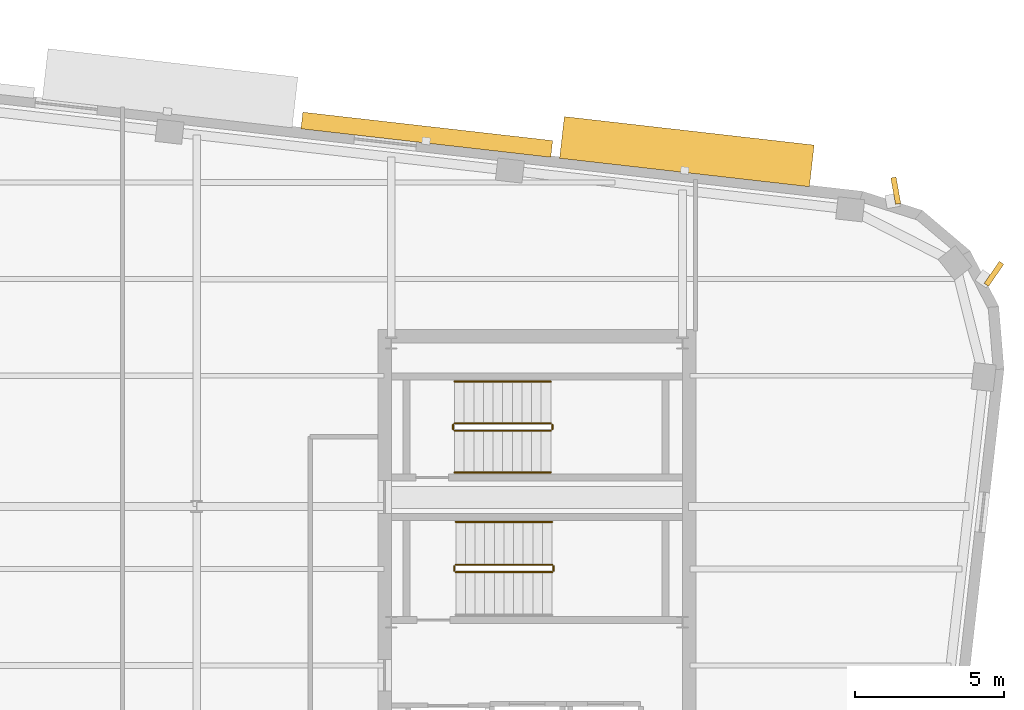
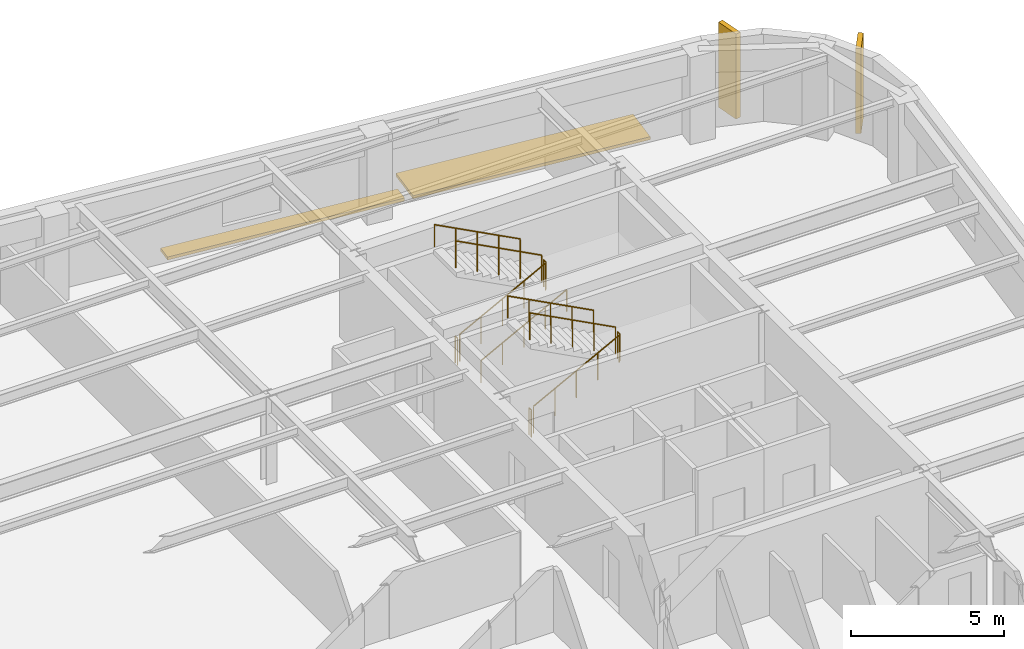
# One storey, part 13 of 14: 11 railings, 4 shading devices.
"""IFC4 building model written with IfcOpenShell, lengths in metres."""

from ifc_helpers import new_model, si_unit, direction, frame, origin, origin_2d, place, context, subcontext, project, spatial, rectangle, circle, extrude, material, type_object, element, save


model = new_model("IFC4")

# Units and contexts
model_context = context("Model", 3, precision=1e-05, world=origin(), true_north=direction((0.0, 1.0)))
body_context = subcontext(model_context, "Body", "Model", "MODEL_VIEW")
ifc_project = project(units=[si_unit("LENGTHUNIT", "METRE"), si_unit("AREAUNIT", "SQUARE_METRE"), si_unit("VOLUMEUNIT", "CUBIC_METRE"), si_unit("PLANEANGLEUNIT", "RADIAN"), si_unit("MASSUNIT", "GRAM", prefix="KILO")], contexts=[model_context])

# Site, building, storey
site_placement = place(None, origin())
site = spatial("IfcSite", under=ifc_project, at=site_placement, CompositionType="ELEMENT")
building_placement = place(site_placement, origin())
building = spatial("IfcBuilding", under=site, at=building_placement, Name="Kolvaren Arena Tower", CompositionType="ELEMENT")
storey_placement = place(building_placement, frame((0.0, 0.0, 258.449951171875)))
storey = spatial("IfcBuildingStorey", under=building, at=storey_placement, Name="L63", CompositionType="ELEMENT", Elevation=258.449951171875)

# Railings
ifc_material_1 = material(Name="Painted galvanized steel", Category="steel")
railing_type_1 = type_object("IfcRailingType", Name="GUARD-ST-110", PredefinedType="GUARDRAIL", material=ifc_material_1)
railing_1_placement = place(storey_placement, frame((52.719970703125, 31.639892578125, 0.17041015625)))
element("IfcRailing", 1, at=railing_1_placement, inside=storey, type_object=railing_type_1, Name="L63 ST-E1 stair guard 1", PredefinedType="GUARDRAIL", context=body_context, shape_type="SweptSolid", body=[
    extrude(circle(Radius=0.02392578125, at=origin_2d()), frame((0.0, 0.0, 1.076171875), z_axis=(0.884993431791, 0.0, 0.465603506952), x_axis=(0.0, 1.0, 0.0)), (0.0, 0.0, 1.0), 3.6611328125),
    extrude(circle(Radius=0.02099609375, at=origin_2d()), origin(), (0.0, 0.0, 1.0), 1.052001953125),
    extrude(circle(Radius=0.02099609375, at=origin_2d()), frame((0.81005859375, 0.0, 0.42626953125)), (0.0, 0.0, 1.0), 1.052001953125),
    extrude(circle(Radius=0.02099609375, at=origin_2d()), frame((1.6201171875, 0.0, 0.852294921875)), (0.0, 0.0, 1.0), 1.052001953125),
    extrude(circle(Radius=0.02099609375, at=origin_2d()), frame((2.429931640625, 0.0, 1.2783203125)), (0.0, 0.0, 1.0), 1.052001953125),
    extrude(circle(Radius=0.02099609375, at=origin_2d()), frame((3.239990234375, 0.0, 1.70458984375)), (0.0, 0.0, 1.0), 1.052001953125),
])
railing_2_placement = place(storey_placement, frame((56.010009765625, 31.68994140625, 1.875)))
element("IfcRailing", 2, at=railing_2_placement, inside=storey, type_object=railing_type_1, Name="L63 ST-E1 stair guard 2", PredefinedType="GUARDRAIL", context=body_context, shape_type="SweptSolid", body=[
    extrude(circle(Radius=0.02392578125, at=origin_2d()), frame((0.0, 0.0, 1.076171875), z_axis=(0.0, 1.0, 0.0), x_axis=(-1.0, 0.0, 0.0)), (0.0, 0.0, 1.0), 0.150146484375),
    extrude(circle(Radius=0.02099609375, at=origin_2d()), origin(), (0.0, 0.0, 1.0), 1.052001953125),
    extrude(circle(Radius=0.02099609375, at=origin_2d()), frame((0.0, 0.150146484375, 0.0)), (0.0, 0.0, 1.0), 1.052001953125),
])
railing_3_placement = place(storey_placement, frame((55.9599609375, 31.889892578125, 2.04541015625)))
element("IfcRailing", 3, at=railing_3_placement, inside=storey, type_object=railing_type_1, Name="L63 ST-E1 stair guard 3", PredefinedType="GUARDRAIL", context=body_context, shape_type="SweptSolid", body=[
    extrude(circle(Radius=0.02392578125, at=origin_2d()), frame((0.0, 0.0, 1.076171875), z_axis=(-0.884993431791, 0.0, 0.465603506952), x_axis=(0.0, -1.0, 0.0)), (0.0, 0.0, 1.0), 3.6611328125),
    extrude(circle(Radius=0.02099609375, at=origin_2d()), origin(), (0.0, 0.0, 1.0), 1.052001953125),
    extrude(circle(Radius=0.02099609375, at=origin_2d()), frame((-0.81005859375, 0.0, 0.42626953125)), (0.0, 0.0, 1.0), 1.052001953125),
    extrude(circle(Radius=0.02099609375, at=origin_2d()), frame((-1.6201171875, 0.0, 0.852294921875)), (0.0, 0.0, 1.0), 1.052001953125),
    extrude(circle(Radius=0.02099609375, at=origin_2d()), frame((-2.429931640625, 0.0, 1.2783203125)), (0.0, 0.0, 1.0), 1.052001953125),
    extrude(circle(Radius=0.02099609375, at=origin_2d()), frame((-3.239990234375, 0.0, 1.70458984375)), (0.0, 0.0, 1.0), 1.052001953125),
])
railing_4_placement = place(storey_placement, frame((52.669921875, 31.68994140625, 0.0)))
element("IfcRailing", 4, at=railing_4_placement, inside=storey, type_object=railing_type_1, Name="L63 ST-E1 stair guard 4", PredefinedType="GUARDRAIL", context=body_context, shape_type="SweptSolid", body=[
    extrude(circle(Radius=0.02392578125, at=origin_2d()), frame((0.0, 0.0, 1.076171875), z_axis=(0.0, 1.0, 0.0), x_axis=(-1.0, 0.0, 0.0)), (0.0, 0.0, 1.0), 0.150146484375),
    extrude(circle(Radius=0.02099609375, at=origin_2d()), origin(), (0.0, 0.0, 1.0), 1.052001953125),
    extrude(circle(Radius=0.02099609375, at=origin_2d()), frame((0.0, 0.150146484375, 0.0)), (0.0, 0.0, 1.0), 1.052001953125),
])
railing_5_placement = place(storey_placement, frame((52.679931640625, 36.39990234375, 0.17041015625)))
element("IfcRailing", 5, at=railing_5_placement, inside=storey, type_object=railing_type_1, Name="L63 ST-E2 stair guard 1", PredefinedType="GUARDRAIL", context=body_context, shape_type="SweptSolid", body=[
    extrude(circle(Radius=0.02392578125, at=origin_2d()), frame((0.0, 0.0, 1.076171875), z_axis=(0.884993431791, 0.0, 0.465603506952), x_axis=(0.0, 1.0, 0.0)), (0.0, 0.0, 1.0), 3.6611328125),
    extrude(circle(Radius=0.02099609375, at=origin_2d()), origin(), (0.0, 0.0, 1.0), 1.052001953125),
    extrude(circle(Radius=0.02099609375, at=origin_2d()), frame((0.81005859375, 0.0, 0.42626953125)), (0.0, 0.0, 1.0), 1.052001953125),
    extrude(circle(Radius=0.02099609375, at=origin_2d()), frame((1.6201171875, 0.0, 0.852294921875)), (0.0, 0.0, 1.0), 1.052001953125),
    extrude(circle(Radius=0.02099609375, at=origin_2d()), frame((2.429931640625, 0.0, 1.2783203125)), (0.0, 0.0, 1.0), 1.052001953125),
    extrude(circle(Radius=0.02099609375, at=origin_2d()), frame((3.239990234375, 0.0, 1.70458984375)), (0.0, 0.0, 1.0), 1.052001953125),
])
railing_6_placement = place(storey_placement, frame((55.969970703125, 36.449951171875, 1.875)))
element("IfcRailing", 6, at=railing_6_placement, inside=storey, type_object=railing_type_1, Name="L63 ST-E2 stair guard 2", PredefinedType="GUARDRAIL", context=body_context, shape_type="SweptSolid", body=[
    extrude(circle(Radius=0.02392578125, at=origin_2d()), frame((0.0, 0.0, 1.076171875), z_axis=(0.0, 1.0, 0.0), x_axis=(-1.0, 0.0, 0.0)), (0.0, 0.0, 1.0), 0.150146484375),
    extrude(circle(Radius=0.02099609375, at=origin_2d()), origin(), (0.0, 0.0, 1.0), 1.052001953125),
    extrude(circle(Radius=0.02099609375, at=origin_2d()), frame((0.0, 0.150146484375, 0.0)), (0.0, 0.0, 1.0), 1.052001953125),
])
railing_7_placement = place(storey_placement, frame((55.919921875, 36.64990234375, 2.04541015625)))
element("IfcRailing", 7, at=railing_7_placement, inside=storey, type_object=railing_type_1, Name="L63 ST-E2 stair guard 3", PredefinedType="GUARDRAIL", context=body_context, shape_type="SweptSolid", body=[
    extrude(circle(Radius=0.02392578125, at=origin_2d()), frame((0.0, 0.0, 1.076171875), z_axis=(-0.884993431791, 0.0, 0.465603506952), x_axis=(0.0, -1.0, 0.0)), (0.0, 0.0, 1.0), 3.6611328125),
    extrude(circle(Radius=0.02099609375, at=origin_2d()), origin(), (0.0, 0.0, 1.0), 1.052001953125),
    extrude(circle(Radius=0.02099609375, at=origin_2d()), frame((-0.81005859375, 0.0, 0.42626953125)), (0.0, 0.0, 1.0), 1.052001953125),
    extrude(circle(Radius=0.02099609375, at=origin_2d()), frame((-1.6201171875, 0.0, 0.852294921875)), (0.0, 0.0, 1.0), 1.052001953125),
    extrude(circle(Radius=0.02099609375, at=origin_2d()), frame((-2.429931640625, 0.0, 1.2783203125)), (0.0, 0.0, 1.0), 1.052001953125),
    extrude(circle(Radius=0.02099609375, at=origin_2d()), frame((-3.239990234375, 0.0, 1.70458984375)), (0.0, 0.0, 1.0), 1.052001953125),
])
railing_8_placement = place(storey_placement, frame((52.6298828125, 36.449951171875, 0.0)))
element("IfcRailing", 8, at=railing_8_placement, inside=storey, type_object=railing_type_1, Name="L63 ST-E2 stair guard 4", PredefinedType="GUARDRAIL", context=body_context, shape_type="SweptSolid", body=[
    extrude(circle(Radius=0.02392578125, at=origin_2d()), frame((0.0, 0.0, 1.076171875), z_axis=(0.0, 1.0, 0.0), x_axis=(-1.0, 0.0, 0.0)), (0.0, 0.0, 1.0), 0.150146484375),
    extrude(circle(Radius=0.02099609375, at=origin_2d()), origin(), (0.0, 0.0, 1.0), 1.052001953125),
    extrude(circle(Radius=0.02099609375, at=origin_2d()), frame((0.0, 0.150146484375, 0.0)), (0.0, 0.0, 1.0), 1.052001953125),
])
ifc_material_2 = material(Name="Brushed stainless steel handrail", Category="steel")
railing_type_2 = type_object("IfcRailingType", Name="HRAIL-900", PredefinedType="HANDRAIL", material=ifc_material_2)
railing_9_placement = place(storey_placement, frame((55.9599609375, 33.330078125, 2.04541015625)))
element("IfcRailing", 9, at=railing_9_placement, inside=storey, type_object=railing_type_2, Name="L63 ST-E1 stair handrail 2", PredefinedType="HANDRAIL", context=body_context, shape_type="SweptSolid", body=[
    extrude(circle(Radius=0.02392578125, at=origin_2d()), frame((0.0, 0.0, 0.8759765625), z_axis=(-0.884993431791, 0.0, 0.465603506952), x_axis=(0.0, -1.0, 0.0)), (0.0, 0.0, 1.0), 3.6611328125),
    extrude(circle(Radius=0.02099609375, at=origin_2d()), origin(), (0.0, 0.0, 1.0), 0.851806640625),
    extrude(circle(Radius=0.02099609375, at=origin_2d()), frame((-0.81005859375, 0.0, 0.42626953125)), (0.0, 0.0, 1.0), 0.851806640625),
    extrude(circle(Radius=0.02099609375, at=origin_2d()), frame((-1.6201171875, 0.0, 0.852294921875)), (0.0, 0.0, 1.0), 0.851806640625),
    extrude(circle(Radius=0.02099609375, at=origin_2d()), frame((-2.429931640625, 0.0, 1.2783203125)), (0.0, 0.0, 1.0), 0.851806640625),
    extrude(circle(Radius=0.02099609375, at=origin_2d()), frame((-3.239990234375, 0.0, 1.70458984375)), (0.0, 0.0, 1.0), 0.851806640625),
])
railing_10_placement = place(storey_placement, frame((52.679931640625, 35.0, 0.17041015625)))
element("IfcRailing", 10, at=railing_10_placement, inside=storey, type_object=railing_type_2, Name="L63 ST-E2 stair handrail 1", PredefinedType="HANDRAIL", context=body_context, shape_type="SweptSolid", body=[
    extrude(circle(Radius=0.02392578125, at=origin_2d()), frame((0.0, 0.0, 0.8759765625), z_axis=(0.884993431791, 0.0, 0.465603506952), x_axis=(0.0, 1.0, 0.0)), (0.0, 0.0, 1.0), 3.6611328125),
    extrude(circle(Radius=0.02099609375, at=origin_2d()), origin(), (0.0, 0.0, 1.0), 0.851806640625),
    extrude(circle(Radius=0.02099609375, at=origin_2d()), frame((0.81005859375, 0.0, 0.42626953125)), (0.0, 0.0, 1.0), 0.851806640625),
    extrude(circle(Radius=0.02099609375, at=origin_2d()), frame((1.6201171875, 0.0, 0.852294921875)), (0.0, 0.0, 1.0), 0.851806640625),
    extrude(circle(Radius=0.02099609375, at=origin_2d()), frame((2.429931640625, 0.0, 1.2783203125)), (0.0, 0.0, 1.0), 0.851806640625),
    extrude(circle(Radius=0.02099609375, at=origin_2d()), frame((3.239990234375, 0.0, 1.70458984375)), (0.0, 0.0, 1.0), 0.851806640625),
])
railing_11_placement = place(storey_placement, frame((55.919921875, 38.050048828125, 2.04541015625)))
element("IfcRailing", 11, at=railing_11_placement, inside=storey, type_object=railing_type_2, Name="L63 ST-E2 stair handrail 2", PredefinedType="HANDRAIL", context=body_context, shape_type="SweptSolid", body=[
    extrude(circle(Radius=0.02392578125, at=origin_2d()), frame((0.0, 0.0, 0.8759765625), z_axis=(-0.884993431791, 0.0, 0.465603506952), x_axis=(0.0, -1.0, 0.0)), (0.0, 0.0, 1.0), 3.6611328125),
    extrude(circle(Radius=0.02099609375, at=origin_2d()), origin(), (0.0, 0.0, 1.0), 0.851806640625),
    extrude(circle(Radius=0.02099609375, at=origin_2d()), frame((-0.81005859375, 0.0, 0.42626953125)), (0.0, 0.0, 1.0), 0.851806640625),
    extrude(circle(Radius=0.02099609375, at=origin_2d()), frame((-1.6201171875, 0.0, 0.852294921875)), (0.0, 0.0, 1.0), 0.851806640625),
    extrude(circle(Radius=0.02099609375, at=origin_2d()), frame((-2.429931640625, 0.0, 1.2783203125)), (0.0, 0.0, 1.0), 0.851806640625),
    extrude(circle(Radius=0.02099609375, at=origin_2d()), frame((-3.239990234375, 0.0, 1.70458984375)), (0.0, 0.0, 1.0), 0.851806640625),
])

# Shading devices
ifc_material_3 = material(Name="Precast architectural concrete C50/60 rib fin", Category="concrete")
shading_device_type_1 = type_object("IfcShadingDeviceType", Name="SHAD-FIN-28", PredefinedType="USERDEFINED", material=ifc_material_3)
for number, where, z_axis, x_axis, name in (
    (12, (70.830810546875, 41.679931640625, 0.02001953125), (0.0, 0.0, 1.0), (0.569965213199, 0.821668823641, 0.0), "Precast 28-Deg Corner Rib Fin (L63)"),
    (13, (67.526611328125, 44.47705078125, 0.02001953125), (0.0, 0.0, 1.0), (-0.177965872603, 0.984036659982, 0.0), "Precast 28-Deg Corner Rib Fin (L63)"),
):
    element("IfcShadingDevice", number, at=place(storey_placement, frame(where, z_axis=z_axis, x_axis=x_axis)), inside=storey, type_object=shading_device_type_1, Name=name, ObjectType="FIN", PredefinedType="USERDEFINED", context=body_context, shape_type="SweptSolid", body=[
        extrude(rectangle(XDim=0.89990234375, YDim=0.179931640625, at=origin_2d()), origin(), (0.0, 0.0, 1.0), 3.39990234375),
    ])
ifc_material_4 = material(Name="Architectural precast GFRC and anodised aluminium sunshade", Category="concrete")
shading_device_type_2 = type_object("IfcShadingDeviceType", Name="SHAD-SINE-A", PredefinedType="USERDEFINED", material=ifc_material_4)
shading_device_1_placement = place(storey_placement, frame((51.7451171875, 46.3603515625, -0.139892578125), z_axis=(0.0, 0.0, 1.0), x_axis=(0.993571658098, -0.113204947878, 0.0)))
element("IfcShadingDevice", 14, at=shading_device_1_placement, inside=storey, type_object=shading_device_type_2, Name="Sinusoidal Slab-Edge Sunshade Louvre (L63)", ObjectType="LOUVRE", PredefinedType="USERDEFINED", context=body_context, shape_type="SweptSolid", body=[
    extrude(rectangle(XDim=8.4599609375, YDim=0.564453125, at=origin_2d()), origin(), (0.0, 0.0, 1.0), 0.1201171875),
])
shading_device_type_3 = type_object("IfcShadingDeviceType", Name="SHAD-SINE-B", PredefinedType="JALOUSIE", material=ifc_material_4)
shading_device_2_placement = place(storey_placement, frame((60.49658203125, 45.789794921875, -0.139892578125), z_axis=(0.0, 0.0, 1.0), x_axis=(0.993571658098, -0.113204947878, 0.0)))
element("IfcShadingDevice", 15, at=shading_device_2_placement, inside=storey, type_object=shading_device_type_3, Name="Sinusoidal Slab-Edge Sunshade Louvre (L63)", PredefinedType="JALOUSIE", context=body_context, shape_type="SweptSolid", body=[
    extrude(rectangle(XDim=8.4599609375, YDim=1.41162109375, at=origin_2d()), origin(), (0.0, 0.0, 1.0), 0.1201171875),
])

save(model, "model.ifc")
